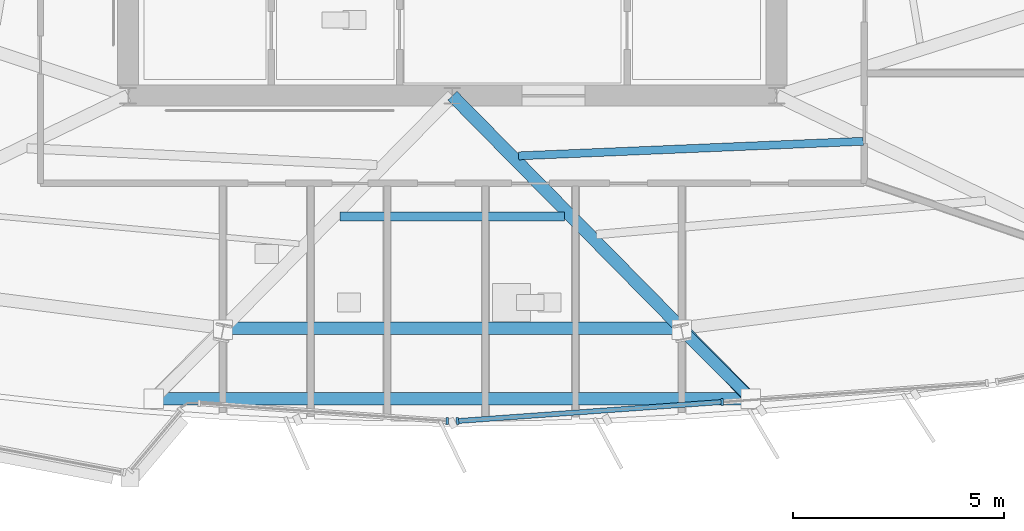
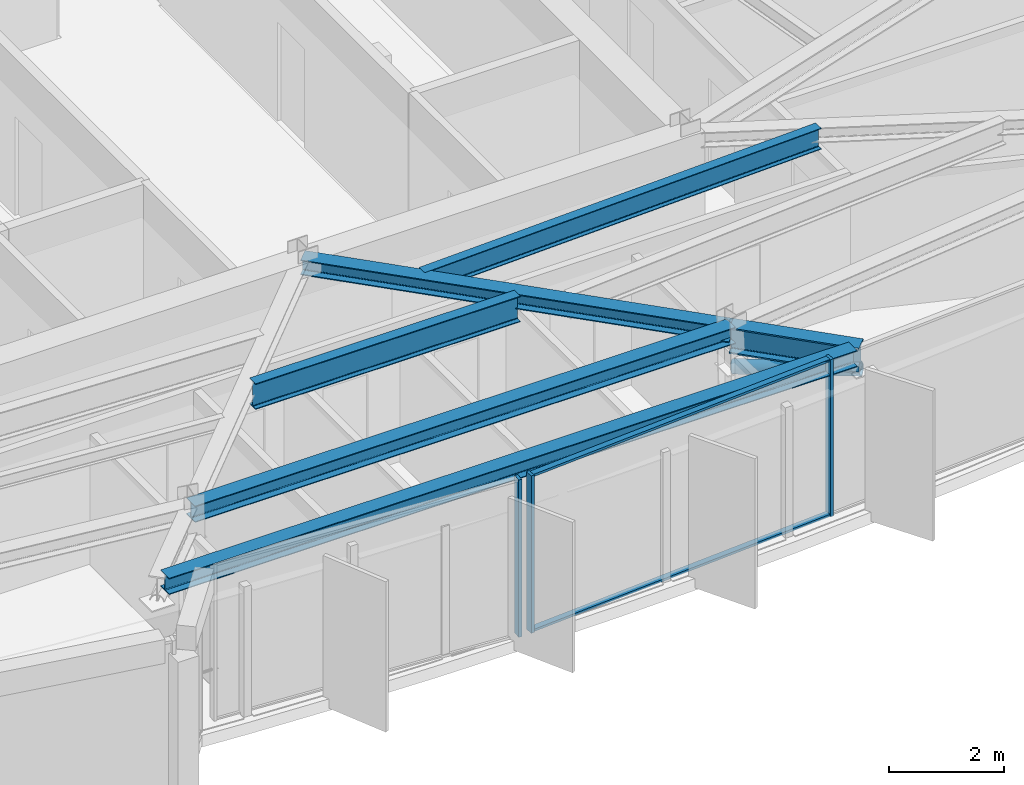
# One storey, part 3 of 14: 6 beams, 6 members, 2 elements without a shape of their own.
"""IFC4 building model written with IfcOpenShell, lengths in metres."""

from ifc_helpers import new_model, si_unit, direction, frame, origin, origin_2d, place, context, subcontext, project, spatial, rectangle, hollow_circle, i_section, extrude, material, material_profile, profile_set, type_object, element, aggregate, save


model = new_model("IFC4")

# Units and contexts
model_context = context("Model", 3, precision=1e-05, world=origin(), true_north=direction((0.0, 1.0)))
body_context = subcontext(model_context, "Body", "Model", "MODEL_VIEW")
ifc_project = project(units=[si_unit("LENGTHUNIT", "METRE"), si_unit("AREAUNIT", "SQUARE_METRE"), si_unit("VOLUMEUNIT", "CUBIC_METRE"), si_unit("PLANEANGLEUNIT", "RADIAN"), si_unit("MASSUNIT", "GRAM", prefix="KILO")], contexts=[model_context])

# Site, building, storey
site_placement = place(None, origin())
site = spatial("IfcSite", under=ifc_project, at=site_placement, CompositionType="ELEMENT")
building_placement = place(site_placement, origin())
building = spatial("IfcBuilding", under=site, at=building_placement, Name="Savorim Split Tower", CompositionType="ELEMENT")
storey_placement = place(building_placement, frame((0.0, 0.0, 230.699951171875)))
storey = spatial("IfcBuildingStorey", under=building, at=storey_placement, Name="L61", CompositionType="ELEMENT", Elevation=230.699951171875)

# Beams
ifc_material_1 = material(Name="Steel S355", Category="steel")
ifc_material_profile_1 = material_profile(ifc_material_1, i_section(OverallWidth=0.18994140625, OverallDepth=0.449951171875, WebThickness=0.009521484375, FlangeThickness=0.0146484375, FilletRadius=0.02099609375, at=origin_2d()), Name="IPE 450")
ifc_profile_set_1 = profile_set([ifc_material_profile_1], Name="Steel S355")
beam_type_1 = type_object("IfcBeamType", Name="BM-JST-IPE450", PredefinedType="JOIST", material=ifc_profile_set_1)
beam_1_placement = place(storey_placement, frame((1.57373046875, -10.827880859375, 3.125), z_axis=(0.999105057167, 0.042297573725, 0.0), x_axis=(-0.042297573725, 0.999105057167, 0.0)))
element("IfcBeam", 1, at=beam_1_placement, inside=storey, type_object=beam_type_1, Name="L61 Secondary Floor Joist JS-05", PredefinedType="JOIST", context=body_context, shape_type="SweptSolid", body=[
    extrude(i_section(OverallWidth=0.18994140625, OverallDepth=0.449951171875, WebThickness=0.009521484375, FlangeThickness=0.0146484375, FilletRadius=0.02099609375, at=origin_2d()), origin(), (0.0, 0.0, 1.0), 8.1904296875),
])
ifc_material_profile_2 = material_profile(ifc_material_1, i_section(OverallWidth=0.2099609375, OverallDepth=0.550048828125, WebThickness=0.010986328125, FlangeThickness=0.01708984375, FilletRadius=0.02392578125, at=origin_2d()), Name="IPE 550")
ifc_profile_set_2 = profile_set([ifc_material_profile_2], Name="Steel S355")
beam_type_2 = type_object("IfcBeamType", Name="BM-JST-IPE550", PredefinedType="JOIST", material=ifc_profile_set_2)
beam_2_placement = place(storey_placement, frame((-2.667724609375, -12.26953125, 3.074951171875), z_axis=(1.0, 0.0, 0.0), x_axis=(0.0, 1.0, 0.0)))
element("IfcBeam", 2, at=beam_2_placement, inside=storey, type_object=beam_type_2, Name="L61 Secondary Floor Joist JS-03", PredefinedType="JOIST", context=body_context, shape_type="SweptSolid", body=[
    extrude(i_section(OverallWidth=0.2099609375, OverallDepth=0.550048828125, WebThickness=0.010986328125, FlangeThickness=0.01708984375, FilletRadius=0.02392578125, at=origin_2d()), origin(), (0.0, 0.0, 1.0), 5.33544921875),
])
ifc_material_profile_3 = material_profile(ifc_material_1, i_section(OverallWidth=0.300048828125, OverallDepth=0.320068359375, WebThickness=0.011474609375, FlangeThickness=0.0205078125, FilletRadius=0.027099609375, at=origin_2d()), Name="HEB 320")
ifc_profile_set_3 = profile_set([ifc_material_profile_3], Name="Steel S355")
beam_type_3 = type_object("IfcBeamType", Name="BM-PRI-HEB320", PredefinedType="BEAM", material=ifc_profile_set_3)
beam_3_placement = place(storey_placement, frame((5.43798828125, -14.91845703125, 3.18994140625), z_axis=(-0.70188825942, 0.712287070842, 0.0), x_axis=(-0.712287070842, -0.70188825942, 0.0)))
element("IfcBeam", 3, at=beam_3_placement, inside=storey, type_object=beam_type_3, Name="L61 Primary Floor Girder RG-03", PredefinedType="BEAM", context=body_context, shape_type="SweptSolid", body=[
    extrude(i_section(OverallWidth=0.300048828125, OverallDepth=0.320068359375, WebThickness=0.011474609375, FlangeThickness=0.0205078125, FilletRadius=0.027099609375, at=origin_2d()), origin(), (0.0, 0.0, 1.0), 7.74755859375),
])
ifc_material_profile_4 = material_profile(ifc_material_1, i_section(OverallWidth=0.300048828125, OverallDepth=0.550048828125, WebThickness=0.014892578125, FlangeThickness=0.029052734375, FilletRadius=0.027099609375, at=origin_2d()), Name="HEB 550")
ifc_profile_set_4 = profile_set([ifc_material_profile_4], Name="Steel S355")
beam_type_4 = type_object("IfcBeamType", Name="BM-PRI-HEB550", PredefinedType="BEAM", material=ifc_profile_set_4)
beam_4_placement = place(storey_placement, frame((5.43798828125, -14.91845703125, 3.074951171875), z_axis=(0.701945813053, -0.712230352862, 0.0), x_axis=(0.712230352862, 0.701945813053, 0.0)))
element("IfcBeam", 4, at=beam_4_placement, inside=storey, type_object=beam_type_4, Name="L61 Cantilevered Lounge Rib 2", PredefinedType="BEAM", context=body_context, shape_type="SweptSolid", body=[
    extrude(i_section(OverallWidth=0.300048828125, OverallDepth=0.550048828125, WebThickness=0.014892578125, FlangeThickness=0.029052734375, FilletRadius=0.027099609375, at=origin_2d()), origin(), (0.0, 0.0, 1.0), 2.35009765625),
])
ifc_material_profile_5 = material_profile(ifc_material_1, i_section(OverallWidth=0.300048828125, OverallDepth=0.35009765625, WebThickness=0.010009765625, FlangeThickness=0.017578125, FilletRadius=0.027099609375, at=origin_2d()), Name="HEA 360")
ifc_profile_set_5 = profile_set([ifc_material_profile_5], Name="Steel S355")
beam_type_5 = type_object("IfcBeamType", Name="BM-SPN-HEA360", PredefinedType="SPANDREL", material=ifc_profile_set_5)
beam_5_placement = place(storey_placement, frame((-5.43798828125, -14.91845703125, 3.175048828125), z_axis=(1.0, 0.0, 0.0), x_axis=(0.0, 1.0, 0.0)))
element("IfcBeam", 5, at=beam_5_placement, inside=storey, type_object=beam_type_5, Name="L61 Perimeter Spandrel Beam 2", PredefinedType="SPANDREL", context=body_context, shape_type="SweptSolid", body=[
    extrude(i_section(OverallWidth=0.300048828125, OverallDepth=0.35009765625, WebThickness=0.010009765625, FlangeThickness=0.017578125, FilletRadius=0.027099609375, at=origin_2d()), origin(), (0.0, 0.0, 1.0), 10.8759765625),
])
beam_6_placement = place(storey_placement, frame((-6.927490234375, -16.59228515625, 3.175048828125), z_axis=(1.0, 0.0, 0.0), x_axis=(0.0, 1.0, 0.0)))
element("IfcBeam", 6, at=beam_6_placement, inside=storey, type_object=beam_type_5, Name="L61 Cantilevered Lounge Front Edge Beam", PredefinedType="SPANDREL", context=body_context, shape_type="SweptSolid", body=[
    extrude(i_section(OverallWidth=0.300048828125, OverallDepth=0.35009765625, WebThickness=0.010009765625, FlangeThickness=0.017578125, FilletRadius=0.027099609375, at=origin_2d()), origin(), (0.0, 0.0, 1.0), 13.85498046875),
])

# Curtain wall, member
ifc_material_2 = material(Name="Dark Ceramic-Fritted Insulated Glass", Category="glass")
curtain_wall_type = type_object("IfcCurtainWallType", Name="CW-TWR-FRIT-B", PredefinedType="NOTDEFINED", material=ifc_material_2)
curtain_wall_1_placement = place(storey_placement, origin())
curtain_wall_1 = element("IfcCurtainWall", 7, at=curtain_wall_1_placement, inside=storey, type_object=curtain_wall_type, Name="L61 Curtain Wall CW-L61-SF2A", PredefinedType="NOTDEFINED")
ifc_material_3 = material(Name="Charcoal Anodised Aluminium", Category="aluminium")
ifc_material_profile_6 = material_profile(ifc_material_3, rectangle(XDim=0.159912109375, YDim=0.06005859375, at=origin_2d()), Name="ALU-M 160x60")
ifc_profile_set_6 = profile_set([ifc_material_profile_6], Name="Charcoal Anodised Aluminium")
member_type_1 = type_object("IfcMemberType", Name="CWM-160x60", PredefinedType="MULLION", material=ifc_profile_set_6)
member_1_placement = place(storey_placement, frame((-0.12109375, -17.123779296875, 0.0), z_axis=(0.0, 0.0, 1.0), x_axis=(0.071567603964, 0.997435751346, 0.0)))
member_1 = element("IfcMember", 8, at=member_1_placement, type_object=member_type_1, Name="CW-03 mullion 2", PredefinedType="MULLION", context=body_context, shape_type="SweptSolid", body=[
    extrude(rectangle(XDim=0.159912109375, YDim=0.06005859375, at=origin_2d()), origin(), (0.0, 0.0, 1.0), 3.35009765625),
])
aggregate(curtain_wall_1, [member_1])

# Curtain wall, members
curtain_wall_2_placement = place(storey_placement, origin())
curtain_wall_2 = element("IfcCurtainWall", 9, at=curtain_wall_2_placement, inside=storey, type_object=curtain_wall_type, Name="L61 Curtain Wall CW-L61-SF3A", PredefinedType="NOTDEFINED")
member_2_placement = place(storey_placement, frame((0.12109375, -17.123779296875, 0.0), z_axis=(0.0, 0.0, 1.0), x_axis=(-0.071560189997, 0.997436283282, 0.0)))
member_2 = element("IfcMember", 10, at=member_2_placement, type_object=member_type_1, Name="CW-03 mullion 1", PredefinedType="MULLION", context=body_context, shape_type="SweptSolid", body=[
    extrude(rectangle(XDim=0.159912109375, YDim=0.06005859375, at=origin_2d()), origin(), (0.0, 0.0, 1.0), 3.35009765625),
])
member_3_placement = place(storey_placement, frame((6.40673828125, -16.6728515625, 0.0), z_axis=(0.0, 0.0, 1.0), x_axis=(-0.071560189997, 0.997436283282, 0.0)))
member_3 = element("IfcMember", 11, at=member_3_placement, type_object=member_type_1, Name="CW-03 mullion 2", PredefinedType="MULLION", context=body_context, shape_type="SweptSolid", body=[
    extrude(rectangle(XDim=0.159912109375, YDim=0.06005859375, at=origin_2d()), origin(), (0.0, 0.0, 1.0), 3.35009765625),
])
ifc_material_profile_7 = material_profile(ifc_material_3, rectangle(XDim=0.1201171875, YDim=0.050048828125, at=origin_2d()), Name="ALU-T 120x50")
ifc_profile_set_7 = profile_set([ifc_material_profile_7], Name="Charcoal Anodised Aluminium")
member_type_2 = type_object("IfcMemberType", Name="CWT-120x50", PredefinedType="USERDEFINED", material=ifc_profile_set_7)
member_4_placement = place(storey_placement, frame((0.151123046875, -17.121826171875, 0.025146484375), z_axis=(0.997434817603, 0.071580616322, 0.0), x_axis=(-0.071580616322, 0.997434817603, 0.0)))
member_4 = element("IfcMember", 12, at=member_4_placement, type_object=member_type_2, Name="CW-03 transom 1.1", ObjectType="TRANSOM", PredefinedType="USERDEFINED", context=body_context, shape_type="SweptSolid", body=[
    extrude(rectangle(XDim=0.1201171875, YDim=0.050048828125, at=origin_2d()), origin(), (0.0, 0.0, 1.0), 6.24169921875),
])
member_5_placement = place(storey_placement, frame((0.151123046875, -17.121826171875, 3.324951171875), z_axis=(0.997434817603, 0.071580616322, 0.0), x_axis=(-0.071580616322, 0.997434817603, 0.0)))
member_5 = element("IfcMember", 13, at=member_5_placement, type_object=member_type_2, Name="CW-03 transom 1.2", ObjectType="TRANSOM", PredefinedType="USERDEFINED", context=body_context, shape_type="SweptSolid", body=[
    extrude(rectangle(XDim=0.1201171875, YDim=0.050048828125, at=origin_2d()), origin(), (0.0, 0.0, 1.0), 6.24169921875),
])
aggregate(curtain_wall_2, [member_2, member_3, member_4, member_5])

# Member
ifc_material_profile_8 = material_profile(ifc_material_1, hollow_circle(Radius=0.136474609375, WallThickness=0.01611328125, at=origin_2d()), Name="CHS 273x16")
ifc_profile_set_8 = profile_set([ifc_material_profile_8], Name="Steel S355")
member_type_3 = type_object("IfcMemberType", Name="MBR-CRN-CHS273", PredefinedType="BRACE", material=ifc_profile_set_8)
member_6_placement = place(storey_placement, frame((5.446044921875, -14.958984375, 2.449951171875), z_axis=(0.700012195308, -0.696472573856, 0.157825474135), x_axis=(0.705312236537, 0.708896783031, 0.0)))
element("IfcMember", 14, at=member_6_placement, inside=storey, type_object=member_type_3, Name="L61 Cantilevered Bay Support Strut 2", PredefinedType="BRACE", context=body_context, shape_type="SweptSolid", body=[
    extrude(hollow_circle(Radius=0.136474609375, WallThickness=0.01611328125, at=origin_2d()), origin(), (0.0, 0.0, 1.0), 2.34521484375),
])

save(model, "model.ifc")
